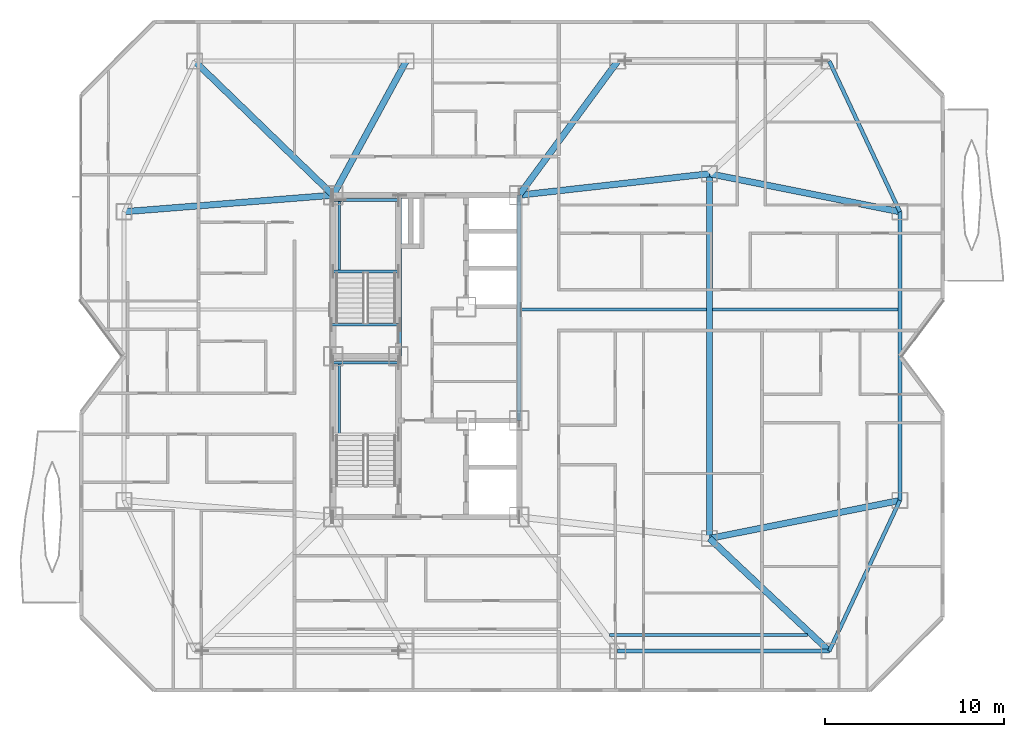
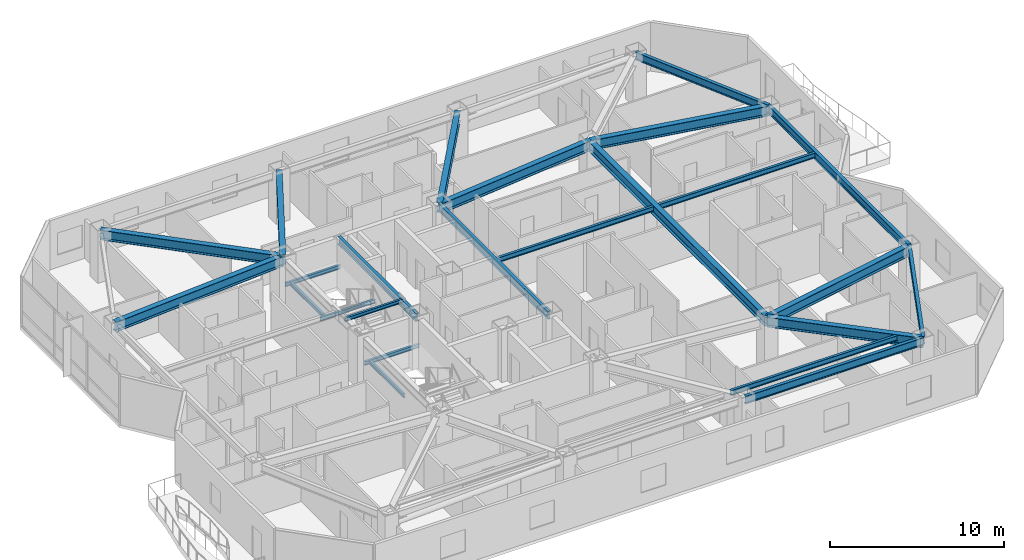
# One storey, part 4 of 18: 24 beams.
"""IFC4 building model written with IfcOpenShell, lengths in metres."""

from ifc_helpers import new_model, si_unit, direction, frame, origin, origin_2d, place, context, subcontext, project, spatial, i_section, extrude, material, material_profile, profile_set, type_object, element, save


model = new_model("IFC4")

# Units and contexts
model_context = context("Model", 3, precision=1e-05, world=origin(), true_north=direction((0.0, 1.0)))
body_context = subcontext(model_context, "Body", "Model", "MODEL_VIEW")
ifc_project = project(units=[si_unit("LENGTHUNIT", "METRE"), si_unit("AREAUNIT", "SQUARE_METRE"), si_unit("VOLUMEUNIT", "CUBIC_METRE"), si_unit("PLANEANGLEUNIT", "RADIAN"), si_unit("MASSUNIT", "GRAM", prefix="KILO")], contexts=[model_context])

# Site, building, storey
site_placement = place(None, origin())
site = spatial("IfcSite", under=ifc_project, at=site_placement, CompositionType="ELEMENT")
building_placement = place(site_placement, origin())
building = spatial("IfcBuilding", under=site, at=building_placement, Name="Khamvora Tower", CompositionType="ELEMENT")
storey_placement = place(building_placement, frame((0.0, 0.0, 181.449951171875)))
storey = spatial("IfcBuildingStorey", under=building, at=storey_placement, Name="L46", CompositionType="ELEMENT", Elevation=181.449951171875)

# Beams
ifc_material = material(Name="Steel S355", Category="steel")
ifc_material_profile_1 = material_profile(ifc_material, i_section(OverallWidth=0.1708984375, OverallDepth=0.35498046875, WebThickness=0.007080078125, FlangeThickness=0.011962890625, FilletRadius=0.010009765625, at=origin_2d()), Name="W360x51")
ifc_profile_set_1 = profile_set([ifc_material_profile_1], Name="Steel S355")
beam_type_1 = type_object("IfcBeamType", Name="BM-JS-W360x51", PredefinedType="JOIST", material=ifc_profile_set_1)
beam_1_placement = place(storey_placement, frame((44.469970703125, 12.39990234375, 3.251953125), z_axis=(1.0, 0.0, 0.0), x_axis=(0.0, 1.0, 0.0)))
element("IfcBeam", 1, at=beam_1_placement, inside=storey, type_object=beam_type_1, Name="L46 secondary floor joist 03", PredefinedType="JOIST", context=body_context, shape_type="SweptSolid", body=[
    extrude(i_section(OverallWidth=0.1708984375, OverallDepth=0.35498046875, WebThickness=0.007080078125, FlangeThickness=0.011962890625, FilletRadius=0.010009765625, at=origin_2d()), origin(), (0.0, 0.0, 1.0), 11.069091796875),
])
beam_2_placement = place(storey_placement, frame((39.4990234375, 30.60009765625, 3.251953125), z_axis=(1.0, 0.0, 0.0), x_axis=(0.0, 1.0, 0.0)))
element("IfcBeam", 2, at=beam_2_placement, inside=storey, type_object=beam_type_1, Name="L46 secondary floor joist 05", PredefinedType="JOIST", context=body_context, shape_type="SweptSolid", body=[
    extrude(i_section(OverallWidth=0.1708984375, OverallDepth=0.35498046875, WebThickness=0.007080078125, FlangeThickness=0.011962890625, FilletRadius=0.010009765625, at=origin_2d()), origin(), (0.0, 0.0, 1.0), 10.3779296875),
])
beam_3_placement = place(storey_placement, frame((50.221923828125, 30.60009765625, 3.251953125), z_axis=(1.0, 0.0, 0.0), x_axis=(0.0, 1.0, 0.0)))
element("IfcBeam", 3, at=beam_3_placement, inside=storey, type_object=beam_type_1, Name="L46 secondary floor joist 06", PredefinedType="JOIST", context=body_context, shape_type="SweptSolid", body=[
    extrude(i_section(OverallWidth=0.1708984375, OverallDepth=0.35498046875, WebThickness=0.007080078125, FlangeThickness=0.011962890625, FilletRadius=0.010009765625, at=origin_2d()), origin(), (0.0, 0.0, 1.0), 10.377197265625),
])
ifc_material_profile_2 = material_profile(ifc_material, i_section(OverallWidth=0.14697265625, OverallDepth=0.261962890625, WebThickness=0.007080078125, FlangeThickness=0.010986328125, FilletRadius=0.008056640625, at=origin_2d()), Name="W250x39")
ifc_profile_set_2 = profile_set([ifc_material_profile_2], Name="Steel S355")
beam_type_2 = type_object("IfcBeamType", Name="BM-LN-W250x39", PredefinedType="LINTEL", material=ifc_profile_set_2)
beam_4_placement = place(storey_placement, frame((29.0, 27.6298828125, 1.494140625), z_axis=(1.0, 0.0, 0.0), x_axis=(0.0, 1.0, 0.0)))
element("IfcBeam", 4, at=beam_4_placement, inside=storey, type_object=beam_type_2, Name="L46 ST-01 half-landing support beam 1.2", PredefinedType="LINTEL", context=body_context, shape_type="SweptSolid", body=[
    extrude(i_section(OverallWidth=0.14697265625, OverallDepth=0.261962890625, WebThickness=0.007080078125, FlangeThickness=0.010986328125, FilletRadius=0.008056640625, at=origin_2d()), origin(), (0.0, 0.0, 1.0), 3.64990234375),
])
beam_5_placement = place(storey_placement, frame((29.35009765625, 23.635009765625, 1.494140625), z_axis=(0.0, 1.0, 0.0), x_axis=(-1.0, 0.0, 0.0)))
element("IfcBeam", 5, at=beam_5_placement, inside=storey, type_object=beam_type_2, Name="L46 ST-01 half-landing edge stringer 1", PredefinedType="LINTEL", context=body_context, shape_type="SweptSolid", body=[
    extrude(i_section(OverallWidth=0.14697265625, OverallDepth=0.261962890625, WebThickness=0.007080078125, FlangeThickness=0.010986328125, FilletRadius=0.008056640625, at=origin_2d()), origin(), (0.0, 0.0, 1.0), 3.994873046875),
])
for number, where, z_axis, x_axis, name in (
    (6, (29.0, 32.735107421875, 1.494140625), (1.0, 0.0, 0.0), (0.0, 1.0, 0.0), "L46 ST-02 half-landing support beam 1.1"),
    (7, (29.0, 36.72998046875, 1.494140625), (1.0, 0.0, 0.0), (0.0, 1.0, 0.0), "L46 ST-02 half-landing support beam 1.2"),
):
    element("IfcBeam", number, at=place(storey_placement, frame(where, z_axis=z_axis, x_axis=x_axis)), inside=storey, type_object=beam_type_2, Name=name, PredefinedType="LINTEL", context=body_context, shape_type="SweptSolid", body=[
        extrude(i_section(OverallWidth=0.14697265625, OverallDepth=0.261962890625, WebThickness=0.007080078125, FlangeThickness=0.010986328125, FilletRadius=0.008056640625, at=origin_2d()), origin(), (0.0, 0.0, 1.0), 3.64990234375),
    ])
beam_6_placement = place(storey_placement, frame((29.35009765625, 32.735107421875, 1.494140625), z_axis=(0.0, 1.0, 0.0), x_axis=(-1.0, 0.0, 0.0)))
element("IfcBeam", 8, at=beam_6_placement, inside=storey, type_object=beam_type_2, Name="L46 ST-02 half-landing edge stringer 1", PredefinedType="LINTEL", context=body_context, shape_type="SweptSolid", body=[
    extrude(i_section(OverallWidth=0.14697265625, OverallDepth=0.261962890625, WebThickness=0.007080078125, FlangeThickness=0.010986328125, FilletRadius=0.008056640625, at=origin_2d()), origin(), (0.0, 0.0, 1.0), 3.994873046875),
])
beam_7_placement = place(storey_placement, frame((28.89990234375, 29.75, 3.303955078125), z_axis=(1.0, 0.0, 0.0), x_axis=(0.0, 1.0, 0.0)))
element("IfcBeam", 9, at=beam_7_placement, inside=storey, type_object=beam_type_2, Name="L46 exit stair ST-02 landing trimmer beam", PredefinedType="LINTEL", context=body_context, shape_type="SweptSolid", body=[
    extrude(i_section(OverallWidth=0.14697265625, OverallDepth=0.261962890625, WebThickness=0.007080078125, FlangeThickness=0.010986328125, FilletRadius=0.008056640625, at=origin_2d()), origin(), (0.0, 0.0, 1.0), 3.830078125),
])
ifc_material_profile_3 = material_profile(ifc_material, i_section(OverallWidth=0.35498046875, OverallDepth=0.695068359375, WebThickness=0.014892578125, FlangeThickness=0.02490234375, FilletRadius=0.01611328125, at=origin_2d()), Name="W690x217")
ifc_profile_set_3 = profile_set([ifc_material_profile_3], Name="Steel S355")
beam_type_3 = type_object("IfcBeamType", Name="BM-PG-W690x217", PredefinedType="BEAM", material=ifc_profile_set_3)
beam_8_placement = place(storey_placement, frame((50.050048828125, 17.800048828125, 3.08203125), z_axis=(0.0, 1.0, 0.0), x_axis=(-1.0, 0.0, 0.0)))
element("IfcBeam", 10, at=beam_8_placement, inside=storey, type_object=beam_type_3, Name="L46 longitudinal frame girder M1-M2", PredefinedType="BEAM", context=body_context, shape_type="SweptSolid", body=[
    extrude(i_section(OverallWidth=0.35498046875, OverallDepth=0.695068359375, WebThickness=0.014892578125, FlangeThickness=0.02490234375, FilletRadius=0.01611328125, at=origin_2d()), origin(), (0.0, 0.0, 1.0), 20.39990234375),
])
beam_9_placement = place(storey_placement, frame((50.050048828125, 17.800048828125, 3.08203125), z_axis=(0.728513992294, -0.685030921224, 0.0), x_axis=(0.685030921224, 0.728513992294, 0.0)))
element("IfcBeam", 11, at=beam_9_placement, inside=storey, type_object=beam_type_3, Name="L46 primary floor girder S4", PredefinedType="BEAM", context=body_context, shape_type="SweptSolid", body=[
    extrude(i_section(OverallWidth=0.35498046875, OverallDepth=0.695068359375, WebThickness=0.014892578125, FlangeThickness=0.02490234375, FilletRadius=0.01611328125, at=origin_2d()), origin(), (0.0, 0.0, 1.0), 9.19677734375),
])
beam_10_placement = place(storey_placement, frame((29.0, 37.0, 3.08203125), z_axis=(-0.718602141767, 0.695421427516, 0.0), x_axis=(-0.695421427516, -0.718602141767, 0.0)))
element("IfcBeam", 12, at=beam_10_placement, inside=storey, type_object=beam_type_3, Name="L46 primary floor girder N1", PredefinedType="BEAM", context=body_context, shape_type="SweptSolid", body=[
    extrude(i_section(OverallWidth=0.35498046875, OverallDepth=0.695068359375, WebThickness=0.014892578125, FlangeThickness=0.02490234375, FilletRadius=0.01611328125, at=origin_2d()), origin(), (0.0, 0.0, 1.0), 10.784912109375),
])
beam_11_placement = place(storey_placement, frame((29.0, 37.0, 3.08203125), z_axis=(0.478138862063, 0.878284252725, 0.0), x_axis=(-0.878284252725, 0.478138862063, 0.0)))
element("IfcBeam", 13, at=beam_11_placement, inside=storey, type_object=beam_type_3, Name="L46 primary floor girder N2", PredefinedType="BEAM", context=body_context, shape_type="SweptSolid", body=[
    extrude(i_section(OverallWidth=0.35498046875, OverallDepth=0.695068359375, WebThickness=0.014892578125, FlangeThickness=0.02490234375, FilletRadius=0.01611328125, at=origin_2d()), origin(), (0.0, 0.0, 1.0), 8.539306640625),
])
beam_12_placement = place(storey_placement, frame((39.39990234375, 37.0, 3.08203125), z_axis=(0.592556630955, 0.805528794713, 0.0), x_axis=(-0.805528794713, 0.592556630955, 0.0)))
element("IfcBeam", 14, at=beam_12_placement, inside=storey, type_object=beam_type_3, Name="L46 primary floor girder N3", PredefinedType="BEAM", context=body_context, shape_type="SweptSolid", body=[
    extrude(i_section(OverallWidth=0.35498046875, OverallDepth=0.695068359375, WebThickness=0.014892578125, FlangeThickness=0.02490234375, FilletRadius=0.01611328125, at=origin_2d()), origin(), (0.0, 0.0, 1.0), 9.310546875),
])
beam_13_placement = place(storey_placement, frame((29.0, 37.0, 3.08203125), z_axis=(-0.996888993668, -0.078818362728, 0.0), x_axis=(0.078818362728, -0.996888993668, 0.0)))
element("IfcBeam", 15, at=beam_13_placement, inside=storey, type_object=beam_type_3, Name="L46 primary floor girder W2", PredefinedType="BEAM", context=body_context, shape_type="SweptSolid", body=[
    extrude(i_section(OverallWidth=0.35498046875, OverallDepth=0.695068359375, WebThickness=0.014892578125, FlangeThickness=0.02490234375, FilletRadius=0.01611328125, at=origin_2d()), origin(), (0.0, 0.0, 1.0), 11.736572265625),
])
for number, where, z_axis, x_axis, name in (
    (16, (50.050048828125, 17.800048828125, 3.08203125), (0.980668771461, 0.195675140681, 0.0), (-0.195675140681, 0.980668771461, 0.0), "L46 primary floor girder E1"),
    (17, (50.050048828125, 38.199951171875, 3.08203125), (0.980668771461, -0.195675140681, 0.0), (0.195675140681, 0.980668771461, 0.0), "L46 primary floor girder E2"),
):
    element("IfcBeam", number, at=place(storey_placement, frame(where, z_axis=z_axis, x_axis=x_axis)), inside=storey, type_object=beam_type_3, Name=name, PredefinedType="BEAM", context=body_context, shape_type="SweptSolid", body=[
        extrude(i_section(OverallWidth=0.35498046875, OverallDepth=0.695068359375, WebThickness=0.014892578125, FlangeThickness=0.02490234375, FilletRadius=0.01611328125, at=origin_2d()), origin(), (0.0, 0.0, 1.0), 10.85986328125),
    ])
beam_14_placement = place(storey_placement, frame((39.39990234375, 37.0, 3.08203125), z_axis=(0.993712543569, 0.111961514606, 0.0), x_axis=(-0.111961514606, 0.993712543569, 0.0)))
element("IfcBeam", 18, at=beam_14_placement, inside=storey, type_object=beam_type_3, Name="L46 primary floor girder M2", PredefinedType="BEAM", context=body_context, shape_type="SweptSolid", body=[
    extrude(i_section(OverallWidth=0.35498046875, OverallDepth=0.695068359375, WebThickness=0.014892578125, FlangeThickness=0.02490234375, FilletRadius=0.01611328125, at=origin_2d()), origin(), (0.0, 0.0, 1.0), 10.717529296875),
])
ifc_material_profile_4 = material_profile(ifc_material, i_section(OverallWidth=0.2119140625, OverallDepth=0.5439453125, WebThickness=0.012939453125, FlangeThickness=0.02099609375, FilletRadius=0.013916015625, at=origin_2d()), Name="W530x123")
ifc_profile_set_4 = profile_set([ifc_material_profile_4], Name="Steel S355")
beam_type_4 = type_object("IfcBeamType", Name="BM-SP-W530x123", PredefinedType="SPANDREL", material=ifc_profile_set_4)
beam_15_placement = place(storey_placement, frame((44.9169921875, 11.5, 3.157958984375), z_axis=(1.0, 0.0, 0.0), x_axis=(0.0, 1.0, 0.0)))
element("IfcBeam", 19, at=beam_15_placement, inside=storey, type_object=beam_type_4, Name="L46 perimeter spandrel beam S3-S4", PredefinedType="SPANDREL", context=body_context, shape_type="SweptSolid", body=[
    extrude(i_section(OverallWidth=0.2119140625, OverallDepth=0.5439453125, WebThickness=0.012939453125, FlangeThickness=0.02099609375, FilletRadius=0.013916015625, at=origin_2d()), origin(), (0.0, 0.0, 1.0), 11.8330078125),
])
beam_16_placement = place(storey_placement, frame((56.75, 11.5, 3.157958984375), z_axis=(0.424496391454, 0.905429629315, 0.0), x_axis=(-0.905429629315, 0.424496391454, 0.0)))
element("IfcBeam", 20, at=beam_16_placement, inside=storey, type_object=beam_type_4, Name="L46 perimeter spandrel beam S4-E1", PredefinedType="SPANDREL", context=body_context, shape_type="SweptSolid", body=[
    extrude(i_section(OverallWidth=0.2119140625, OverallDepth=0.5439453125, WebThickness=0.012939453125, FlangeThickness=0.02099609375, FilletRadius=0.013916015625, at=origin_2d()), origin(), (0.0, 0.0, 1.0), 9.304931640625),
])
beam_17_placement = place(storey_placement, frame((60.699951171875, 19.925048828125, 3.157958984375), z_axis=(0.0, 1.0, 0.0), x_axis=(-1.0, 0.0, 0.0)))
element("IfcBeam", 21, at=beam_17_placement, inside=storey, type_object=beam_type_4, Name="L46 perimeter spandrel beam E1-E2", PredefinedType="SPANDREL", context=body_context, shape_type="SweptSolid", body=[
    extrude(i_section(OverallWidth=0.2119140625, OverallDepth=0.5439453125, WebThickness=0.012939453125, FlangeThickness=0.02099609375, FilletRadius=0.013916015625, at=origin_2d()), origin(), (0.0, 0.0, 1.0), 16.14990234375),
])
beam_18_placement = place(storey_placement, frame((60.699951171875, 36.074951171875, 3.157958984375), z_axis=(-0.424496391454, 0.905429629315, 0.0), x_axis=(-0.905429629315, -0.424496391454, 0.0)))
element("IfcBeam", 22, at=beam_18_placement, inside=storey, type_object=beam_type_4, Name="L46 perimeter spandrel beam E2-N4", PredefinedType="SPANDREL", context=body_context, shape_type="SweptSolid", body=[
    extrude(i_section(OverallWidth=0.2119140625, OverallDepth=0.5439453125, WebThickness=0.012939453125, FlangeThickness=0.02099609375, FilletRadius=0.013916015625, at=origin_2d()), origin(), (0.0, 0.0, 1.0), 9.304931640625),
])
ifc_material_profile_5 = material_profile(ifc_material, i_section(OverallWidth=0.208984375, OverallDepth=0.532958984375, WebThickness=0.010009765625, FlangeThickness=0.01611328125, FilletRadius=0.013916015625, at=origin_2d()), Name="W530x92")
ifc_profile_set_5 = profile_set([ifc_material_profile_5], Name="Steel S355")
beam_type_5 = type_object("IfcBeamType", Name="BM-SP-W530x92", PredefinedType="SPANDREL", material=ifc_profile_set_5)
beam_19_placement = place(storey_placement, frame((32.72998046875, 28.0, 3.1630859375), z_axis=(0.0, 1.0, 0.0), x_axis=(-1.0, 0.0, 0.0)))
element("IfcBeam", 23, at=beam_19_placement, inside=storey, type_object=beam_type_5, Name="L46 core spine girder M1N", PredefinedType="SPANDREL", context=body_context, shape_type="SweptSolid", body=[
    extrude(i_section(OverallWidth=0.208984375, OverallDepth=0.532958984375, WebThickness=0.010009765625, FlangeThickness=0.01611328125, FilletRadius=0.013916015625, at=origin_2d()), origin(), (0.0, 0.0, 1.0), 9.0),
])
beam_20_placement = place(storey_placement, frame((39.39990234375, 24.39990234375, 3.1630859375), z_axis=(0.0, 1.0, 0.0), x_axis=(-1.0, 0.0, 0.0)))
element("IfcBeam", 24, at=beam_20_placement, inside=storey, type_object=beam_type_5, Name="L46 core spine girder EN", PredefinedType="SPANDREL", context=body_context, shape_type="SweptSolid", body=[
    extrude(i_section(OverallWidth=0.208984375, OverallDepth=0.532958984375, WebThickness=0.010009765625, FlangeThickness=0.01611328125, FilletRadius=0.013916015625, at=origin_2d()), origin(), (0.0, 0.0, 1.0), 12.60009765625),
])

save(model, "model.ifc")
